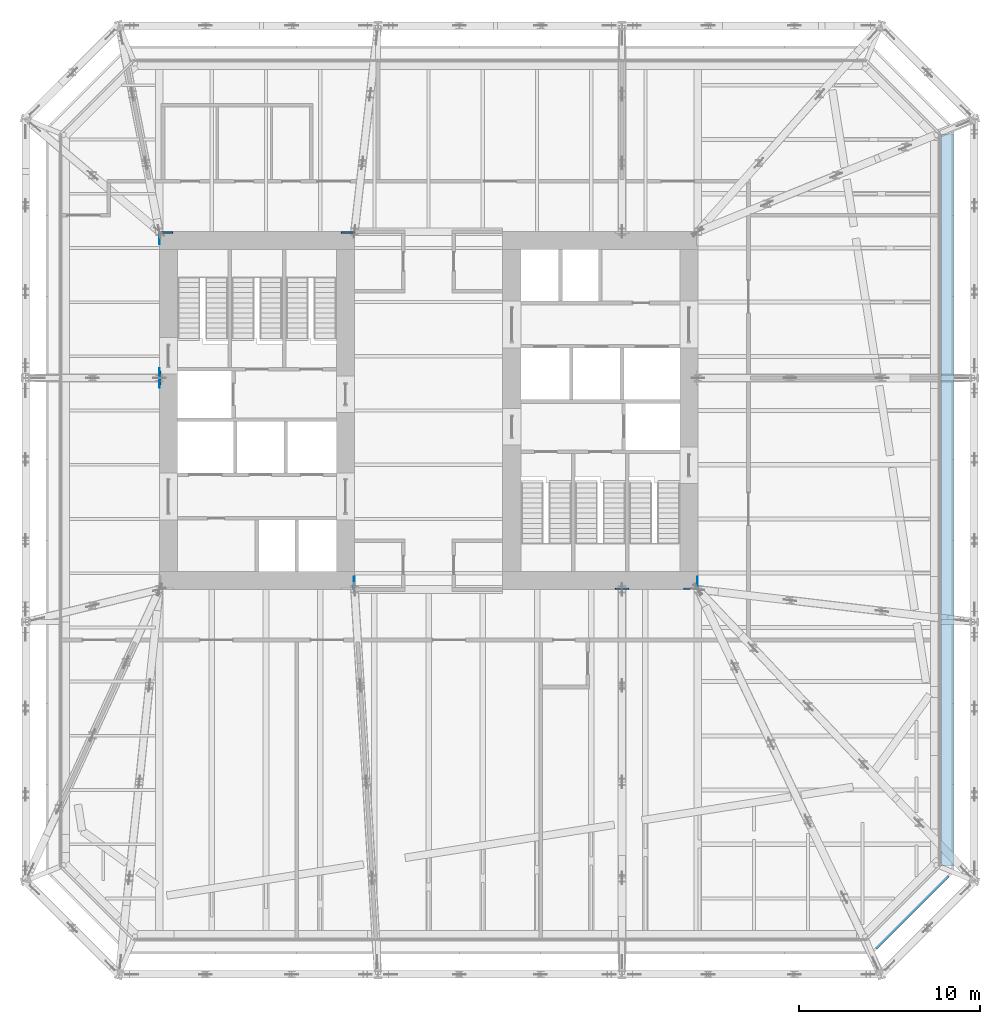
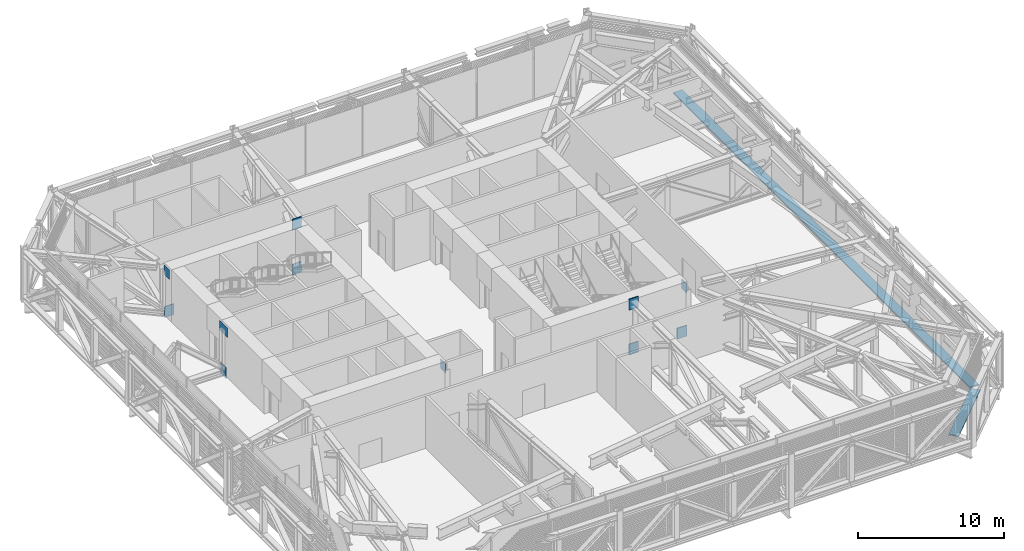
# One storey, part 25 of 31: 13 discrete accessories.
"""IFC4 building model written with IfcOpenShell, lengths in metres."""

from ifc_helpers import new_model, si_unit, direction, frame, origin, origin_2d, place, context, subcontext, project, spatial, rectangle, extrude, material, layer, layer_set, type_object, element, save


model = new_model("IFC4")

# Units and contexts
model_context = context("Model", 3, precision=1e-05, world=origin(), true_north=direction((0.0, 1.0)))
body_context = subcontext(model_context, "Body", "Model", "MODEL_VIEW")
ifc_project = project(units=[si_unit("LENGTHUNIT", "METRE"), si_unit("AREAUNIT", "SQUARE_METRE"), si_unit("VOLUMEUNIT", "CUBIC_METRE"), si_unit("PLANEANGLEUNIT", "RADIAN"), si_unit("MASSUNIT", "GRAM", prefix="KILO")], contexts=[model_context])

# Site, building, storey
site_placement = place(None, origin())
site = spatial("IfcSite", under=ifc_project, at=site_placement, CompositionType="ELEMENT")
building_placement = place(site_placement, origin())
building = spatial("IfcBuilding", under=site, at=building_placement, Name="Millrace Tower", CompositionType="ELEMENT")
storey_placement = place(building_placement, frame((0.0, 0.0, 120.39990234375)))
storey = spatial("IfcBuildingStorey", under=building, at=storey_placement, Name="L26", CompositionType="ELEMENT", Elevation=120.39990234375)

# Discrete accessories
ifc_material_1 = material(Name="Steel ASTM A572 Grade 50", Category="steel")
ifc_layer_1 = layer(ifc_material_1, 0.030029296875)
ifc_layer_set_1 = layer_set([ifc_layer_1], Name="Steel ASTM A572 Grade 50")
discrete_accessory_type_1 = type_object("IfcDiscreteAccessoryType", Name="Cast-in anchor plate 1100x790x30", PredefinedType="ANCHORPLATE", material=ifc_layer_set_1)
discrete_accessory_1_placement = place(storey_placement, frame((-14.8701171875, 1.800048828125, 3.7421875), z_axis=(-1.0, 0.0, 0.0), x_axis=(0.0, -1.0, 0.0)))
element("IfcDiscreteAccessory", 1, at=discrete_accessory_1_placement, inside=storey, type_object=discrete_accessory_type_1, Name="Cast-in anchor plate BLT-L26-O15-V00", PredefinedType="ANCHORPLATE", context=body_context, shape_type="SweptSolid", body=[
    extrude(rectangle(XDim=1.10009765625, YDim=0.7900390625, at=origin_2d()), origin(), (0.0, 0.0, 1.0), 0.02978515625),
])
ifc_material_2 = material(Name="Steel ASTM A572 Grade 50", Category="steel")
ifc_layer_2 = layer(ifc_material_2, 0.030029296875)
ifc_layer_set_2 = layer_set([ifc_layer_2], Name="Steel ASTM A572 Grade 50")
discrete_accessory_type_2 = type_object("IfcDiscreteAccessoryType", Name="Cast-in anchor plate 705x790x30", PredefinedType="ANCHORPLATE", material=ifc_layer_set_2)
for number, where, z_axis, x_axis, name in (
    (2, (-4.1298828125, -9.547607421875, 3.7421875), (1.0, 0.0, 0.0), (0.0, 1.0, 0.0), "Cast-in anchor plate BLT-L26-O03-V00"),
    (3, (14.8701171875, -9.547607421875, 3.7421875), (1.0, 0.0, 0.0), (0.0, 1.0, 0.0), "Cast-in anchor plate BLT-L26-O05-V00"),
    (4, (-14.8701171875, 9.547607421875, 3.7421875), (-1.0, 0.0, 0.0), (0.0, -1.0, 0.0), "Cast-in anchor plate BLT-L26-O13-V00"),
):
    element("IfcDiscreteAccessory", number, at=place(storey_placement, frame(where, z_axis=z_axis, x_axis=x_axis)), inside=storey, type_object=discrete_accessory_type_2, Name=name, PredefinedType="ANCHORPLATE", context=body_context, shape_type="SweptSolid", body=[
        extrude(rectangle(XDim=0.705078125, YDim=0.7900390625, at=origin_2d()), origin(), (0.0, 0.0, 1.0), 0.02978515625),
    ])
ifc_material_3 = material(Name="Steel ASTM A572 Grade 50", Category="steel")
ifc_layer_3 = layer(ifc_material_3, 0.074951171875)
ifc_layer_set_3 = layer_set([ifc_layer_3], Name="Steel ASTM A572 Grade 50")
discrete_accessory_type_3 = type_object("IfcDiscreteAccessoryType", Name="Cast-in anchor plate 735x900x75", PredefinedType="ANCHORPLATE", material=ifc_layer_set_3)
for number, where, z_axis, x_axis, name in (
    (5, (10.699951171875, -9.824951171875, 0.2490234375), (0.0, -1.0, 0.0), (1.0, 0.0, 0.0), "Cast-in anchor plate BLT-L26-O04-B01"),
    (6, (10.699951171875, -9.824951171875, 3.9912109375), (0.0, -1.0, 0.0), (1.0, 0.0, 0.0), "Cast-in anchor plate BLT-L26-O04-T01"),
    (7, (-4.467529296875, 9.824951171875, 0.2490234375), (0.0, 1.0, 0.0), (-1.0, 0.0, 0.0), "Cast-in anchor plate BLT-L26-O12-B01"),
    (8, (-4.467529296875, 9.824951171875, 3.9912109375), (0.0, 1.0, 0.0), (-1.0, 0.0, 0.0), "Cast-in anchor plate BLT-L26-O12-T01"),
    (9, (-14.824951171875, 1.800048828125, 0.2490234375), (-1.0, 0.0, 0.0), (0.0, -1.0, 0.0), "Cast-in anchor plate BLT-L26-O15-B01"),
):
    element("IfcDiscreteAccessory", number, at=place(storey_placement, frame(where, z_axis=z_axis, x_axis=x_axis)), inside=storey, type_object=discrete_accessory_type_3, Name=name, PredefinedType="ANCHORPLATE", context=body_context, shape_type="SweptSolid", body=[
        extrude(rectangle(XDim=0.735107421875, YDim=0.89990234375, at=origin_2d()), origin(), (0.0, 0.0, 1.0), 0.074951171875),
    ])
ifc_material_4 = material(Name="Steel ASTM A572 Grade 50", Category="steel")
ifc_layer_4 = layer(ifc_material_4, 0.074951171875)
ifc_layer_set_4 = layer_set([ifc_layer_4], Name="Steel ASTM A572 Grade 50")
discrete_accessory_type_4 = type_object("IfcDiscreteAccessoryType", Name="Cast-in anchor plate 740x900x75", PredefinedType="ANCHORPLATE", material=ifc_layer_set_4)
discrete_accessory_2_placement = place(storey_placement, frame((-14.530029296875, 9.824951171875, 0.2490234375), z_axis=(0.0, 1.0, 0.0), x_axis=(-1.0, 0.0, 0.0)))
element("IfcDiscreteAccessory", 10, at=discrete_accessory_2_placement, inside=storey, type_object=discrete_accessory_type_4, Name="Cast-in anchor plate BLT-L26-O13-B01", PredefinedType="ANCHORPLATE", context=body_context, shape_type="SweptSolid", body=[
    extrude(rectangle(XDim=0.739990234375, YDim=0.89990234375, at=origin_2d()), origin(), (0.0, 0.0, 1.0), 0.074951171875),
])
ifc_material_5 = material(Name="Steel ASTM A572 Grade 50", Category="steel")
ifc_layer_5 = layer(ifc_material_5, 0.074951171875)
ifc_layer_set_5 = layer_set([ifc_layer_5], Name="Steel ASTM A572 Grade 50")
discrete_accessory_type_5 = type_object("IfcDiscreteAccessoryType", Name="Cast-in anchor plate 780x900x75", PredefinedType="ANCHORPLATE", material=ifc_layer_set_5)
discrete_accessory_3_placement = place(storey_placement, frame((14.510009765625, -9.824951171875, 0.2490234375), z_axis=(0.0, -1.0, 0.0), x_axis=(1.0, 0.0, 0.0)))
element("IfcDiscreteAccessory", 11, at=discrete_accessory_3_placement, inside=storey, type_object=discrete_accessory_type_5, Name="Cast-in anchor plate BLT-L26-O05-B01", PredefinedType="ANCHORPLATE", context=body_context, shape_type="SweptSolid", body=[
    extrude(rectangle(XDim=0.780029296875, YDim=0.89990234375, at=origin_2d()), origin(), (0.0, 0.0, 1.0), 0.074951171875),
])
ifc_material_6 = material(Name="Stainless steel ASTM A240 type 316", Category="steel")
discrete_accessory_type_6 = type_object("IfcDiscreteAccessoryType", Name="Thermally broken screen support rail", PredefinedType="BRACKET", material=ifc_material_6)
discrete_accessory_4_placement = place(storey_placement, frame((26.560546875, -27.560546875, 0.0), z_axis=(0.0, 0.0, 1.0), x_axis=(0.707106781187, 0.707106781187, 0.0)))
element("IfcDiscreteAccessory", 12, at=discrete_accessory_4_placement, inside=storey, type_object=discrete_accessory_type_6, Name="Thermally broken screen support rail B-F03 L26 1", PredefinedType="BRACKET", context=body_context, shape_type="SweptSolid", body=[
    extrude(rectangle(XDim=5.65673828125, YDim=0.719970703125, at=origin_2d()), origin(), (0.0, 0.0, 1.0), 0.10009765625),
])
discrete_accessory_5_placement = place(storey_placement, frame((28.7099609375, -4.949951171875, 0.0), z_axis=(0.0, 0.0, 1.0), x_axis=(0.0, 1.0, 0.0)))
element("IfcDiscreteAccessory", 13, at=discrete_accessory_5_placement, inside=storey, type_object=discrete_accessory_type_6, Name="Thermally broken screen support rail B-F04 L26 1", PredefinedType="BRACKET", context=body_context, shape_type="SweptSolid", body=[
    extrude(rectangle(XDim=40.5, YDim=0.719970703125, at=origin_2d()), origin(), (0.0, 0.0, 1.0), 0.10009765625),
])

save(model, "model.ifc")
